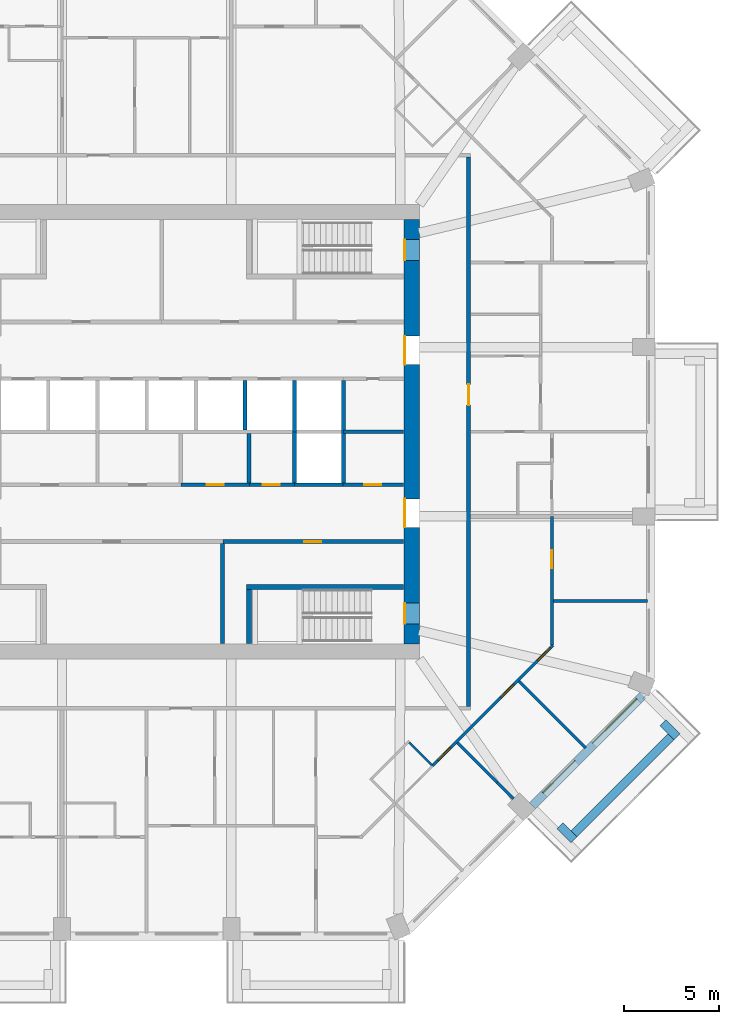
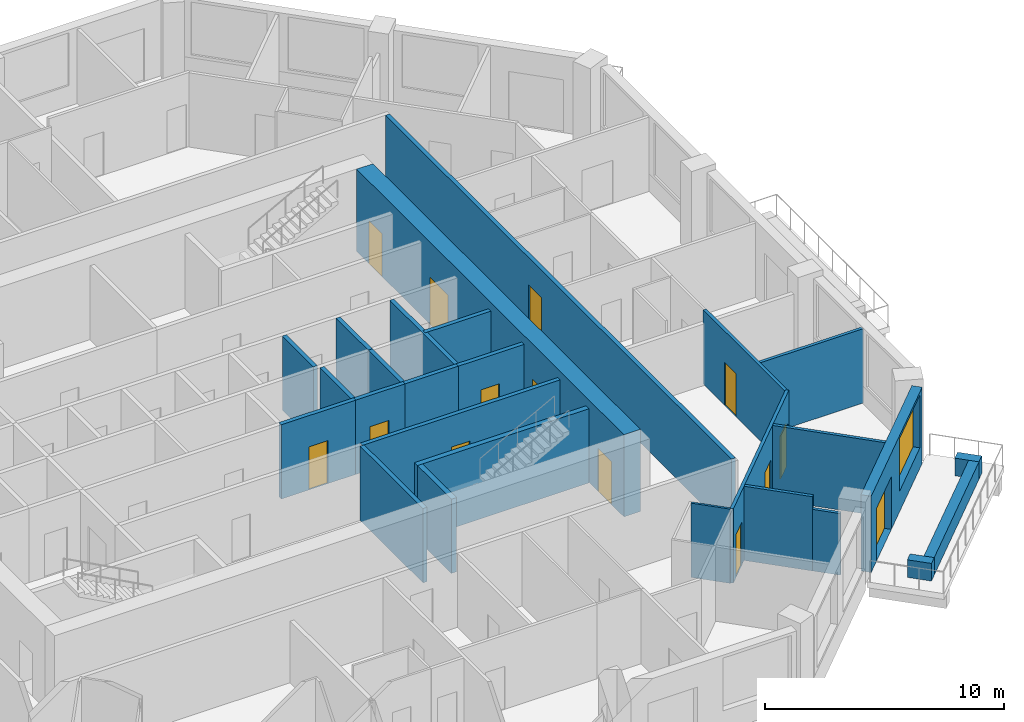
# One storey, part 6 of 13: 27 walls, 14 doors, 1 window, 15 openings.
"""IFC4 building model written with IfcOpenShell, lengths in metres."""

from ifc_helpers import new_model, si_unit, direction, frame, frame_2d, origin, place, context, subcontext, project, spatial, rectangle, extrude, material, layer, layer_set, type_object, element, fill, save


model = new_model("IFC4")

# Units and contexts
model_context = context("Model", 3, precision=1e-05, world=origin(), true_north=direction((0.0, 1.0)))
body_context = subcontext(model_context, "Body", "Model", "MODEL_VIEW")
ifc_project = project(units=[si_unit("LENGTHUNIT", "METRE"), si_unit("AREAUNIT", "SQUARE_METRE"), si_unit("VOLUMEUNIT", "CUBIC_METRE"), si_unit("PLANEANGLEUNIT", "RADIAN"), si_unit("MASSUNIT", "GRAM", prefix="KILO")], contexts=[model_context])

# Site, building, storey
site_placement = place(None, origin())
site = spatial("IfcSite", under=ifc_project, at=site_placement, CompositionType="ELEMENT")
building_placement = place(site_placement, origin())
building = spatial("IfcBuilding", under=site, at=building_placement, Name="Msitu Wima Residences", CompositionType="ELEMENT")
storey_placement = place(building_placement, frame((0.0, 0.0, 152.699951171875)))
storey = spatial("IfcBuildingStorey", under=building, at=storey_placement, Name="L35", CompositionType="ELEMENT", Elevation=152.699951171875)

# Walls
ifc_material_1 = material(Name="Facing brick")
ifc_layer_1 = layer(ifc_material_1, 0.06494140625, Name="Facing brick")
ifc_material_2 = material(Name="Concrete C40/50", Category="concrete")
ifc_layer_2 = layer(ifc_material_2, 0.156005859375, Name="Concrete C40/50")
ifc_material_3 = material(Name="Waterproofing membrane")
ifc_layer_3 = layer(ifc_material_3, 0.00390625, Name="Waterproofing membrane")
ifc_material_4 = material(Name="Planting soil and planting")
ifc_layer_4 = layer(ifc_material_4, 0.22509765625, Name="Planting soil and planting")
ifc_layer_set_1 = layer_set([ifc_layer_1, ifc_layer_2, ifc_layer_3, ifc_layer_4], Name="Concrete C40/50")
wall_type_1 = type_object("IfcWallType", Name="Balcony planter PLANTER PL450", PredefinedType="USERDEFINED", material=ifc_layer_set_1)
wall_1_placement = place(storey_placement, frame((22.572265625, -21.228759765625, 0.0), z_axis=(0.0, 0.0, 1.0), x_axis=(0.707106781187, 0.707106781187, 0.0)))
element("IfcWall", 1, at=wall_1_placement, inside=storey, type_object=wall_type_1, Name="Balcony planter SE1 L35", ObjectType="PLANTER", PredefinedType="USERDEFINED", context=body_context, shape_type="SweptSolid", body=[
    extrude(rectangle(XDim=7.23828125, YDim=0.449951171875, at=frame_2d((3.619140625, 0.0))), origin(), (0.0, 0.0, 1.0), 0.900146484375),
])
for number, where, z_axis, x_axis, name in (
    (2, (21.829833984375, -20.804443359375, 0.0), (0.0, 0.0, 1.0), (0.707106781187, -0.707106781187, 0.0), "Balcony planter SE1 L35"),
    (3, (27.26611328125, -15.3681640625, 0.0), (0.0, 0.0, 1.0), (0.707223014731, -0.706990528533, 0.0), "Balcony planter SE1 L35"),
):
    element("IfcWall", number, at=place(storey_placement, frame(where, z_axis=z_axis, x_axis=x_axis)), inside=storey, type_object=wall_type_1, Name=name, ObjectType="PLANTER", PredefinedType="USERDEFINED", context=body_context, shape_type="SweptSolid", body=[
        extrude(rectangle(XDim=1.050048828125, YDim=0.449951171875, at=frame_2d((0.52490234375, 0.0))), origin(), (0.0, 0.0, 1.0), 0.900146484375),
    ])

# Wall, openings, door, window
ifc_material_5 = material(Name="Brick (red buff mix)", Category="masonry")
ifc_layer_5 = layer(ifc_material_5, 0.449951171875)
ifc_layer_set_2 = layer_set([ifc_layer_5], Name="Brick (red buff mix)")
wall_type_2 = type_object("IfcWallType", Name="Brick infill wall BW450", PredefinedType="SOLIDWALL", material=ifc_layer_set_2)
wall_2_placement = place(storey_placement, frame((20.380126953125, -19.743896484375, 0.0), z_axis=(0.0, 0.0, 1.0), x_axis=(0.707106781187, 0.707106781187, 0.0)))
wall_2 = element("IfcWall", 4, at=wall_2_placement, inside=storey, type_object=wall_type_2, Name="Brick infill wall L35 SE1", PredefinedType="SOLIDWALL", context=body_context, shape_type="SweptSolid", body=[
    extrude(rectangle(XDim=8.251220703125, YDim=0.449951171875, at=frame_2d((4.12548828125, 0.0))), origin(), (0.0, 0.0, 1.0), 3.900146484375),
])
opening_1_placement = place(wall_2_placement, frame((0.86279296875, 0.0, 0.0)))
opening_1 = element("IfcOpeningElement", 5, at=opening_1_placement, cuts=wall_2, Name="Opening D34-35.008", PredefinedType="OPENING", context=body_context, shape_type="SweptSolid", body=[
    extrude(rectangle(XDim=2.39990234375, YDim=2.699951171875, at=frame_2d((1.199951171875, 1.35009765625))), frame((0.0, 0.23486328125, 0.0), z_axis=(0.0, -1.0, 0.0), x_axis=(1.0, 0.0, 0.0)), (0.0, 0.0, 1.0), 0.469970703125),
])
opening_2_placement = place(wall_2_placement, frame((4.57568359375, 0.0, 1.050048828125)))
opening_2 = element("IfcOpeningElement", 6, at=opening_2_placement, cuts=wall_2, Name="Opening W34-35.022", PredefinedType="OPENING", context=body_context, shape_type="SweptSolid", body=[
    extrude(rectangle(XDim=3.300048828125, YDim=2.699951171875, at=frame_2d((1.64990234375, 1.35009765625))), frame((0.0, 0.23486328125, 0.0), z_axis=(0.0, -1.0, 0.0), x_axis=(1.0, 0.0, 0.0)), (0.0, 0.0, 1.0), 0.469970703125),
])
ifc_material_6 = material(Name="Anodised aluminium, bronze finish, clear low-emissivity double glazing", Category="aluminium")
door_type_1 = type_object("IfcDoorType", Name="Balcony door D2400x2700", OperationType="SLIDING_TO_LEFT", PredefinedType="DOOR", material=ifc_material_6)
door_1_placement = place(opening_1_placement, origin())
door_1 = element("IfcDoor", 7, at=door_1_placement, inside=storey, type_object=door_type_1, Name="Balcony door L35 SE1", OperationType="SINGLE_SWING_LEFT", OverallHeight=2.699951171875, OverallWidth=2.39990234375, PredefinedType="DOOR", context=body_context, shape_type="SweptSolid", body=[
    extrude(rectangle(XDim=2.39990234375, YDim=2.699951171875, at=frame_2d((1.199951171875, 1.35009765625))), frame((0.0, 0.1298828125, 0.0), z_axis=(0.0, -1.0, 0.0), x_axis=(1.0, 0.0, 0.0)), (0.0, 0.0, 1.0), 0.050048828125),
])
fill(opening_1, door_1)
window_type = type_object("IfcWindowType", Name="Window W3300x2700", PartitioningType="DOUBLE_PANEL_VERTICAL", PredefinedType="WINDOW", material=ifc_material_6)
window_placement = place(opening_2_placement, origin())
window = element("IfcWindow", 8, at=window_placement, inside=storey, type_object=window_type, Name="Window L35 SE1.2", OverallHeight=2.699951171875, OverallWidth=3.300048828125, PartitioningType="SINGLE_PANEL", PredefinedType="WINDOW", context=body_context, shape_type="SweptSolid", body=[
    extrude(rectangle(XDim=3.300048828125, YDim=2.699951171875, at=frame_2d((1.64990234375, 1.35009765625))), frame((0.0, 0.135009765625, 0.0), z_axis=(0.0, -1.0, 0.0), x_axis=(1.0, 0.0, 0.0)), (0.0, 0.0, 1.0), 0.06005859375),
])
fill(opening_2, window)

# Wall, openings, doors
ifc_material_7 = material(Name="Concrete C70/85", Category="concrete")
ifc_layer_6 = layer(ifc_material_7, 0.800048828125)
ifc_layer_set_3 = layer_set([ifc_layer_6], Name="Concrete C70/85")
wall_type_3 = type_object("IfcWallType", Name="Core wall CW800 C70/85", PredefinedType="SHEAR", material=ifc_layer_set_3)
wall_3_placement = place(storey_placement, frame((14.0, -11.199951171875, 0.0), z_axis=(0.0, 0.0, 1.0), x_axis=(0.0, 1.0, 0.0)))
wall_3 = element("IfcWall", 9, at=wall_3_placement, inside=storey, type_object=wall_type_3, Name="Core wall", PredefinedType="SHEAR", context=body_context, shape_type="SweptSolid", body=[
    extrude(rectangle(XDim=22.39990234375, YDim=0.800048828125, at=frame_2d((11.199951171875, 0.0))), origin(), (0.0, 0.0, 1.0), 4.199951171875),
])
opening_3_placement = place(wall_3_placement, frame((20.25, 0.0, 0.0)))
opening_3 = element("IfcOpeningElement", 10, at=opening_3_placement, cuts=wall_3, Name="Opening D34-35.037", PredefinedType="OPENING", context=body_context, shape_type="SweptSolid", body=[
    extrude(rectangle(XDim=1.10009765625, YDim=2.199951171875, at=frame_2d((0.550048828125, 1.10009765625))), frame((0.0, 0.409912109375, 0.0), z_axis=(0.0, -1.0, 0.0), x_axis=(1.0, 0.0, 0.0)), (0.0, 0.0, 1.0), 0.820068359375),
])
opening_4_placement = place(wall_3_placement, frame((1.050048828125, 0.0, 0.0)))
opening_4 = element("IfcOpeningElement", 11, at=opening_4_placement, cuts=wall_3, Name="Opening D34-35.038", PredefinedType="OPENING", context=body_context, shape_type="SweptSolid", body=[
    extrude(rectangle(XDim=1.10009765625, YDim=2.199951171875, at=frame_2d((0.550048828125, 1.10009765625))), frame((0.0, 0.409912109375, 0.0), z_axis=(0.0, -1.0, 0.0), x_axis=(1.0, 0.0, 0.0)), (0.0, 0.0, 1.0), 0.820068359375),
])
opening_5_placement = place(wall_3_placement, frame((14.75, 0.0, 0.0)))
opening_5 = element("IfcOpeningElement", 12, at=opening_5_placement, cuts=wall_3, Name="Opening D34-35.025", PredefinedType="OPENING", context=body_context, shape_type="SweptSolid", body=[
    extrude(rectangle(XDim=1.5, YDim=2.39990234375, at=frame_2d((0.75, 1.199951171875))), frame((0.0, 0.409912109375, 0.0), z_axis=(0.0, -1.0, 0.0), x_axis=(1.0, 0.0, 0.0)), (0.0, 0.0, 1.0), 0.820068359375),
])
opening_6_placement = place(wall_3_placement, frame((6.14990234375, 0.0, 0.0)))
opening_6 = element("IfcOpeningElement", 13, at=opening_6_placement, cuts=wall_3, Name="Opening D34-35.026", PredefinedType="OPENING", context=body_context, shape_type="SweptSolid", body=[
    extrude(rectangle(XDim=1.5, YDim=2.39990234375, at=frame_2d((0.75, 1.199951171875))), frame((0.0, 0.409912109375, 0.0), z_axis=(0.0, -1.0, 0.0), x_axis=(1.0, 0.0, 0.0)), (0.0, 0.0, 1.0), 0.820068359375),
])
ifc_material_8 = material(Name="Steel framed glazed door, fire resisting", Category="steel")
door_type_2 = type_object("IfcDoorType", Name="Lobby door D07 1500x2400", OperationType="DOUBLE_DOOR_SINGLE_SWING", PredefinedType="DOOR", material=ifc_material_8)
door_2_placement = place(opening_5_placement, origin())
door_2 = element("IfcDoor", 14, at=door_2_placement, inside=storey, type_object=door_type_2, Name="Lobby door", OperationType="DOUBLE_DOOR_SINGLE_SWING", OverallHeight=2.39990234375, OverallWidth=1.5, PredefinedType="DOOR", context=body_context, shape_type="SweptSolid", body=[
    extrude(rectangle(XDim=1.5, YDim=2.39990234375, at=frame_2d((0.75, 1.199951171875))), frame((0.0, 0.39501953125, 0.0), z_axis=(0.0, -1.0, 0.0), x_axis=(1.0, 0.0, 0.0)), (0.0, 0.0, 1.0), 0.050048828125),
])
fill(opening_5, door_2)
door_3_placement = place(opening_6_placement, origin())
door_3 = element("IfcDoor", 15, at=door_3_placement, inside=storey, type_object=door_type_2, Name="Lobby door", OperationType="DOUBLE_DOOR_SINGLE_SWING", OverallHeight=2.39990234375, OverallWidth=1.5, PredefinedType="DOOR", context=body_context, shape_type="SweptSolid", body=[
    extrude(rectangle(XDim=1.5, YDim=2.39990234375, at=frame_2d((0.75, 1.199951171875))), frame((0.0, 0.39501953125, 0.0), z_axis=(0.0, -1.0, 0.0), x_axis=(1.0, 0.0, 0.0)), (0.0, 0.0, 1.0), 0.050048828125),
])
fill(opening_6, door_3)
ifc_material_9 = material(Name="Steel door, fire resisting, panic bar", Category="steel")
door_type_3 = type_object("IfcDoorType", Name="Stair door D06 1100x2200", OperationType="SINGLE_SWING_LEFT", PredefinedType="DOOR", material=ifc_material_9)
door_4_placement = place(opening_3_placement, origin())
door_4 = element("IfcDoor", 16, at=door_4_placement, inside=storey, type_object=door_type_3, Name="Stair door", OperationType="SINGLE_SWING_LEFT", OverallHeight=2.199951171875, OverallWidth=1.10009765625, PredefinedType="DOOR", context=body_context, shape_type="SweptSolid", body=[
    extrude(rectangle(XDim=1.10009765625, YDim=2.199951171875, at=frame_2d((0.550048828125, 1.10009765625))), frame((0.0, 0.39501953125, 0.0), z_axis=(0.0, -1.0, 0.0), x_axis=(1.0, 0.0, 0.0)), (0.0, 0.0, 1.0), 0.050048828125),
])
fill(opening_3, door_4)
door_5_placement = place(opening_4_placement, origin())
door_5 = element("IfcDoor", 17, at=door_5_placement, inside=storey, type_object=door_type_3, Name="Stair door", OperationType="SINGLE_SWING_RIGHT", OverallHeight=2.199951171875, OverallWidth=1.10009765625, PredefinedType="DOOR", context=body_context, shape_type="SweptSolid", body=[
    extrude(rectangle(XDim=1.10009765625, YDim=2.199951171875, at=frame_2d((0.550048828125, 1.10009765625))), frame((0.0, 0.39501953125, 0.0), z_axis=(0.0, -1.0, 0.0), x_axis=(1.0, 0.0, 0.0)), (0.0, 0.0, 1.0), 0.050048828125),
])
fill(opening_4, door_5)

# Wall, opening, door
ifc_material_10 = material(Name="Plaster")
ifc_layer_7 = layer(ifc_material_10, 0.011962890625, Name="Plaster")
ifc_material_11 = material(Name="Concrete blockwork", Category="masonry")
ifc_layer_8 = layer(ifc_material_11, 0.176025390625, Name="Concrete blockwork")
ifc_layer_9 = layer(ifc_material_10, 0.011962890625, Name="Plaster")
ifc_layer_set_4 = layer_set([ifc_layer_7, ifc_layer_8, ifc_layer_9], Name="Concrete blockwork")
wall_type_4 = type_object("IfcWallType", Name="Corridor wall FW200", PredefinedType="PARTITIONING", material=ifc_layer_set_4)
wall_4_placement = place(storey_placement, frame((4.02001953125, -5.800048828125, 0.0), z_axis=(0.0, 0.0, 1.0), x_axis=(1.0, 0.0, 0.0)))
wall_4 = element("IfcWall", 18, at=wall_4_placement, inside=storey, type_object=wall_type_4, Name="Corridor wall", PredefinedType="PARTITIONING", context=body_context, shape_type="SweptSolid", body=[
    extrude(rectangle(XDim=9.550048828125, YDim=0.199951171875, at=frame_2d((4.77490234375, 0.0))), origin(), (0.0, 0.0, 1.0), 3.798095703125),
])
opening_7_placement = place(wall_4_placement, frame((4.300048828125, 0.0, 0.0)))
opening_7 = element("IfcOpeningElement", 19, at=opening_7_placement, cuts=wall_4, Name="Opening D34-35.024", PredefinedType="OPENING", context=body_context, shape_type="SweptSolid", body=[
    extrude(rectangle(XDim=0.89990234375, YDim=2.199951171875, at=frame_2d((0.449951171875, 1.10009765625))), frame((0.0, 0.10986328125, 0.0), z_axis=(0.0, -1.0, 0.0), x_axis=(1.0, 0.0, 0.0)), (0.0, 0.0, 1.0), 0.219970703125),
])
ifc_material_12 = material(Name="Timber flush door", Category="wood")
door_type_4 = type_object("IfcDoorType", Name="Service door D05 900x2200", OperationType="SINGLE_SWING_LEFT", PredefinedType="DOOR", material=ifc_material_12)
door_6_placement = place(opening_7_placement, origin())
door_6 = element("IfcDoor", 20, at=door_6_placement, inside=storey, type_object=door_type_4, Name="Service door", OperationType="SINGLE_SWING_RIGHT", OverallHeight=2.199951171875, OverallWidth=0.89990234375, PredefinedType="DOOR", context=body_context, shape_type="SweptSolid", body=[
    extrude(rectangle(XDim=0.89990234375, YDim=2.199951171875, at=frame_2d((0.449951171875, 1.10009765625))), frame((0.0, 0.02490234375, 0.0), z_axis=(0.0, -1.0, 0.0), x_axis=(1.0, 0.0, 0.0)), (0.0, 0.0, 1.0), 0.050048828125),
])
fill(opening_7, door_6)

wall_5_placement = place(storey_placement, frame((5.419921875, -2.800048828125, 0.0), z_axis=(0.0, 0.0, 1.0), x_axis=(1.0, 0.0, 0.0)))
wall_5 = element("IfcWall", 21, at=wall_5_placement, inside=storey, type_object=wall_type_4, Name="Corridor wall", PredefinedType="PARTITIONING", context=body_context, shape_type="SweptSolid", body=[
    extrude(rectangle(XDim=2.380126953125, YDim=0.199951171875, at=frame_2d((1.18994140625, 0.0))), origin(), (0.0, 0.0, 1.0), 3.798095703125),
])
opening_8_placement = place(wall_5_placement, frame((0.699951171875, 0.0, 0.0)))
opening_8 = element("IfcOpeningElement", 22, at=opening_8_placement, cuts=wall_5, Name="Opening D34-35.032", PredefinedType="OPENING", context=body_context, shape_type="SweptSolid", body=[
    extrude(rectangle(XDim=0.89990234375, YDim=2.199951171875, at=frame_2d((0.449951171875, 1.10009765625))), frame((0.0, 0.10986328125, 0.0), z_axis=(0.0, -1.0, 0.0), x_axis=(1.0, 0.0, 0.0)), (0.0, 0.0, 1.0), 0.219970703125),
])
door_7_placement = place(opening_8_placement, origin())
door_7 = element("IfcDoor", 23, at=door_7_placement, inside=storey, type_object=door_type_4, Name="Service door", OperationType="SINGLE_SWING_LEFT", OverallHeight=2.199951171875, OverallWidth=0.89990234375, PredefinedType="DOOR", context=body_context, shape_type="SweptSolid", body=[
    extrude(rectangle(XDim=0.89990234375, YDim=2.199951171875, at=frame_2d((0.449951171875, 1.10009765625))), frame((0.0, 0.02490234375, 0.0), z_axis=(0.0, -1.0, 0.0), x_axis=(1.0, 0.0, 0.0)), (0.0, 0.0, 1.0), 0.050048828125),
])
fill(opening_8, door_7)

wall_6_placement = place(storey_placement, frame((17.0, -14.5, 0.0), z_axis=(0.0, 0.0, 1.0), x_axis=(0.0, 1.0, 0.0)))
wall_6 = element("IfcWall", 24, at=wall_6_placement, inside=storey, type_object=wall_type_4, Name="Corridor wall", PredefinedType="PARTITIONING", context=body_context, shape_type="SweptSolid", body=[
    extrude(rectangle(XDim=29.0, YDim=0.199951171875, at=frame_2d((14.5, 0.0))), origin(), (0.0, 0.0, 1.0), 3.798095703125),
])
opening_9_placement = place(wall_6_placement, frame((15.89990234375, 0.0, 0.0)))
opening_9 = element("IfcOpeningElement", 25, at=opening_9_placement, cuts=wall_6, Name="Opening D34-35.011", PredefinedType="OPENING", context=body_context, shape_type="SweptSolid", body=[
    extrude(rectangle(XDim=1.10009765625, YDim=2.39990234375, at=frame_2d((0.550048828125, 1.199951171875))), frame((0.0, 0.10986328125, 0.0), z_axis=(0.0, -1.0, 0.0), x_axis=(1.0, 0.0, 0.0)), (0.0, 0.0, 1.0), 0.219970703125),
])
ifc_material_13 = material(Name="Timber flush door, fire resisting, self-closing", Category="wood")
door_type_5 = type_object("IfcDoorType", Name="Flat entrance door D01 1100x2400", OperationType="SINGLE_SWING_LEFT", PredefinedType="DOOR", material=ifc_material_13)
door_8_placement = place(opening_9_placement, origin())
door_8 = element("IfcDoor", 26, at=door_8_placement, inside=storey, type_object=door_type_5, Name="Flat entrance door", OperationType="SINGLE_SWING_RIGHT", OverallHeight=2.39990234375, OverallWidth=1.10009765625, PredefinedType="DOOR", context=body_context, shape_type="SweptSolid", body=[
    extrude(rectangle(XDim=1.10009765625, YDim=2.39990234375, at=frame_2d((0.550048828125, 1.199951171875))), frame((0.0, 0.02490234375, 0.0), z_axis=(0.0, -1.0, 0.0), x_axis=(1.0, 0.0, 0.0)), (0.0, 0.0, 1.0), 0.050048828125),
])
fill(opening_9, door_8)

# Wall, openings, doors
ifc_layer_10 = layer(ifc_material_10, 0.011962890625, Name="Plaster")
ifc_layer_11 = layer(ifc_material_11, 0.1259765625, Name="Concrete blockwork")
ifc_layer_12 = layer(ifc_material_10, 0.011962890625, Name="Plaster")
ifc_layer_set_5 = layer_set([ifc_layer_10, ifc_layer_11, ifc_layer_12], Name="Concrete blockwork")
wall_type_5 = type_object("IfcWallType", Name="Partition PW150", PredefinedType="PARTITIONING", material=ifc_layer_set_5)
wall_7_placement = place(storey_placement, frame((15.098876953125, -17.635986328125, 0.0), z_axis=(0.0, 0.0, 1.0), x_axis=(0.707106781187, 0.707106781187, 0.0)))
wall_7 = element("IfcWall", 27, at=wall_7_placement, inside=storey, type_object=wall_type_5, Name="Partition", PredefinedType="PARTITIONING", context=body_context, shape_type="SweptSolid", body=[
    extrude(rectangle(XDim=8.986328125, YDim=0.14990234375, at=frame_2d((4.4931640625, 0.0))), origin(), (0.0, 0.0, 1.0), 3.798095703125),
])
opening_10_placement = place(wall_7_placement, frame((0.39990234375, 0.0, 0.0)))
opening_10 = element("IfcOpeningElement", 28, at=opening_10_placement, cuts=wall_7, Name="Opening D34-35.080", PredefinedType="OPENING", context=body_context, shape_type="SweptSolid", body=[
    extrude(rectangle(XDim=0.949951171875, YDim=2.199951171875, at=frame_2d((0.47509765625, 1.10009765625))), frame((0.0, 0.0849609375, 0.0), z_axis=(0.0, -1.0, 0.0), x_axis=(1.0, 0.0, 0.0)), (0.0, 0.0, 1.0), 0.169921875),
])
opening_11_placement = place(wall_7_placement, frame((5.10009765625, 0.0, 0.0)))
opening_11 = element("IfcOpeningElement", 29, at=opening_11_placement, cuts=wall_7, Name="Opening D34-35.082", PredefinedType="OPENING", context=body_context, shape_type="SweptSolid", body=[
    extrude(rectangle(XDim=0.949951171875, YDim=2.199951171875, at=frame_2d((0.47509765625, 1.10009765625))), frame((0.0, 0.0849609375, 0.0), z_axis=(0.0, -1.0, 0.0), x_axis=(1.0, 0.0, 0.0)), (0.0, 0.0, 1.0), 0.169921875),
])
opening_12_placement = place(wall_7_placement, frame((7.85009765625, 0.0, 0.0)))
opening_12 = element("IfcOpeningElement", 30, at=opening_12_placement, cuts=wall_7, Name="Opening D34-35.085", PredefinedType="OPENING", context=body_context, shape_type="SweptSolid", body=[
    extrude(rectangle(XDim=0.949951171875, YDim=2.199951171875, at=frame_2d((0.47509765625, 1.10009765625))), frame((0.0, 0.0849609375, 0.0), z_axis=(0.0, -1.0, 0.0), x_axis=(1.0, 0.0, 0.0)), (0.0, 0.0, 1.0), 0.169921875),
])
door_type_6 = type_object("IfcDoorType", Name="Room door D12 950x2200", OperationType="SINGLE_SWING_LEFT", PredefinedType="DOOR", material=ifc_material_12)
door_9_placement = place(opening_10_placement, origin())
door_9 = element("IfcDoor", 31, at=door_9_placement, inside=storey, type_object=door_type_6, Name="Room door", OperationType="SINGLE_SWING_LEFT", OverallHeight=2.199951171875, OverallWidth=0.949951171875, PredefinedType="DOOR", context=body_context, shape_type="SweptSolid", body=[
    extrude(rectangle(XDim=0.949951171875, YDim=2.199951171875, at=frame_2d((0.47509765625, 1.10009765625))), frame((0.0, 0.02490234375, 0.0), z_axis=(0.0, -1.0, 0.0), x_axis=(1.0, 0.0, 0.0)), (0.0, 0.0, 1.0), 0.050048828125),
])
fill(opening_10, door_9)
door_10_placement = place(opening_11_placement, origin())
door_10 = element("IfcDoor", 32, at=door_10_placement, inside=storey, type_object=door_type_6, Name="Room door", OperationType="SINGLE_SWING_LEFT", OverallHeight=2.199951171875, OverallWidth=0.949951171875, PredefinedType="DOOR", context=body_context, shape_type="SweptSolid", body=[
    extrude(rectangle(XDim=0.949951171875, YDim=2.199951171875, at=frame_2d((0.47509765625, 1.10009765625))), frame((0.0, 0.02490234375, 0.0), z_axis=(0.0, -1.0, 0.0), x_axis=(1.0, 0.0, 0.0)), (0.0, 0.0, 1.0), 0.050048828125),
])
fill(opening_11, door_10)
door_11_placement = place(opening_12_placement, origin())
door_11 = element("IfcDoor", 33, at=door_11_placement, inside=storey, type_object=door_type_6, Name="Room door", OperationType="SINGLE_SWING_RIGHT", OverallHeight=2.199951171875, OverallWidth=0.949951171875, PredefinedType="DOOR", context=body_context, shape_type="SweptSolid", body=[
    extrude(rectangle(XDim=0.949951171875, YDim=2.199951171875, at=frame_2d((0.47509765625, 1.10009765625))), frame((0.0, 0.02490234375, 0.0), z_axis=(0.0, -1.0, 0.0), x_axis=(1.0, 0.0, 0.0)), (0.0, 0.0, 1.0), 0.050048828125),
])
fill(opening_12, door_11)

# Walls
wall_8_placement = place(storey_placement, frame((16.42041015625, -16.42041015625, 0.0), z_axis=(0.0, 0.0, 1.0), x_axis=(0.707106781187, -0.707106781187, 0.0)))
element("IfcWall", 34, at=wall_8_placement, inside=storey, type_object=wall_type_5, Name="Partition", PredefinedType="PARTITIONING", context=body_context, shape_type="SweptSolid", body=[
    extrude(rectangle(XDim=2.9658203125, YDim=0.14990234375, at=frame_2d((1.48291015625, 0.0))), origin(), (0.0, 0.0, 1.0), 3.798095703125),
])
wall_9_placement = place(storey_placement, frame((18.517578125, -18.517578125, 0.0), z_axis=(0.0, 0.0, 1.0), x_axis=(0.707106781187, -0.707106781187, 0.0)))
element("IfcWall", 35, at=wall_9_placement, inside=storey, type_object=wall_type_5, Name="Partition", PredefinedType="PARTITIONING", context=body_context, shape_type="SweptSolid", body=[
    extrude(rectangle(XDim=1.209228515625, YDim=0.14990234375, at=frame_2d((0.6044921875, 0.0))), origin(), (0.0, 0.0, 1.0), 3.150146484375),
])
wall_10_placement = place(storey_placement, frame((19.6689453125, -13.171875, 0.0), z_axis=(0.0, 0.0, 1.0), x_axis=(0.707106781187, -0.707106781187, 0.0)))
element("IfcWall", 36, at=wall_10_placement, inside=storey, type_object=wall_type_5, Name="Partition", PredefinedType="PARTITIONING", context=body_context, shape_type="SweptSolid", body=[
    extrude(rectangle(XDim=4.980224609375, YDim=0.14990234375, at=frame_2d((2.490234375, 0.0))), origin(), (0.0, 0.0, 1.0), 3.798095703125),
])

# Wall, opening, door
wall_11_placement = place(storey_placement, frame((21.39990234375, -11.259765625, 0.0), z_axis=(0.0, 0.0, 1.0), x_axis=(0.0, 1.0, 0.0)))
wall_11 = element("IfcWall", 37, at=wall_11_placement, inside=storey, type_object=wall_type_5, Name="Partition", PredefinedType="PARTITIONING", context=body_context, shape_type="SweptSolid", body=[
    extrude(rectangle(XDim=6.791015625, YDim=0.14990234375, at=frame_2d((3.3955078125, 0.0))), origin(), (0.0, 0.0, 1.0), 3.798095703125),
])
opening_13_placement = place(wall_11_placement, frame((4.050048828125, 0.0, 0.0)))
opening_13 = element("IfcOpeningElement", 38, at=opening_13_placement, cuts=wall_11, Name="Opening D34-35.079", PredefinedType="OPENING", context=body_context, shape_type="SweptSolid", body=[
    extrude(rectangle(XDim=0.949951171875, YDim=2.199951171875, at=frame_2d((0.47509765625, 1.10009765625))), frame((0.0, 0.0849609375, 0.0), z_axis=(0.0, -1.0, 0.0), x_axis=(1.0, 0.0, 0.0)), (0.0, 0.0, 1.0), 0.169921875),
])
door_12_placement = place(opening_13_placement, origin())
door_12 = element("IfcDoor", 39, at=door_12_placement, inside=storey, type_object=door_type_6, Name="Room door", OperationType="SINGLE_SWING_RIGHT", OverallHeight=2.199951171875, OverallWidth=0.949951171875, PredefinedType="DOOR", context=body_context, shape_type="SweptSolid", body=[
    extrude(rectangle(XDim=0.949951171875, YDim=2.199951171875, at=frame_2d((0.47509765625, 1.10009765625))), frame((0.0, 0.02490234375, 0.0), z_axis=(0.0, -1.0, 0.0), x_axis=(1.0, 0.0, 0.0)), (0.0, 0.0, 1.0), 0.050048828125),
])
fill(opening_13, door_12)

# Wall
wall_12_placement = place(storey_placement, frame((21.47509765625, -8.937255859375, 0.0), z_axis=(0.0, 0.0, 1.0), x_axis=(1.0, 0.0, 0.0)))
element("IfcWall", 40, at=wall_12_placement, inside=storey, type_object=wall_type_5, Name="Partition", PredefinedType="PARTITIONING", context=body_context, shape_type="SweptSolid", body=[
    extrude(rectangle(XDim=4.97998046875, YDim=0.14990234375, at=frame_2d((2.489990234375, 0.0))), origin(), (0.0, 0.0, 1.0), 3.798095703125),
])

# Wall, opening, door
ifc_layer_13 = layer(ifc_material_10, 0.011962890625, Name="Plaster")
ifc_material_14 = material(Name="Reinforced concrete blockwork", Category="masonry")
ifc_layer_14 = layer(ifc_material_14, 0.176025390625, Name="Reinforced concrete blockwork")
ifc_layer_15 = layer(ifc_material_10, 0.011962890625, Name="Plaster")
ifc_layer_set_6 = layer_set([ifc_layer_13, ifc_layer_14, ifc_layer_15], Name="Reinforced concrete blockwork")
wall_type_6 = type_object("IfcWallType", Name="Plant and riser wall PL200", PredefinedType="PARTITIONING", material=ifc_layer_set_6)
wall_13_placement = place(storey_placement, frame((1.820068359375, -2.800048828125, 0.0), z_axis=(0.0, 0.0, 1.0), x_axis=(1.0, 0.0, 0.0)))
wall_13 = element("IfcWall", 41, at=wall_13_placement, inside=storey, type_object=wall_type_6, Name="Plant and riser wall", PredefinedType="PARTITIONING", context=body_context, shape_type="SweptSolid", body=[
    extrude(rectangle(XDim=3.599853515625, YDim=0.199951171875, at=frame_2d((1.7998046875, 0.0))), origin(), (0.0, 0.0, 1.0), 3.798095703125),
])
opening_14_placement = place(wall_13_placement, frame((1.35009765625, 0.0, 0.0)))
opening_14 = element("IfcOpeningElement", 42, at=opening_14_placement, cuts=wall_13, Name="Opening D34-35.031", PredefinedType="OPENING", context=body_context, shape_type="SweptSolid", body=[
    extrude(rectangle(XDim=0.89990234375, YDim=2.199951171875, at=frame_2d((0.449951171875, 1.10009765625))), frame((0.0, 0.10986328125, 0.0), z_axis=(0.0, -1.0, 0.0), x_axis=(1.0, 0.0, 0.0)), (0.0, 0.0, 1.0), 0.219970703125),
])
door_13_placement = place(opening_14_placement, origin())
door_13 = element("IfcDoor", 43, at=door_13_placement, inside=storey, type_object=door_type_4, Name="Service door", OperationType="SINGLE_SWING_RIGHT", OverallHeight=2.199951171875, OverallWidth=0.89990234375, PredefinedType="DOOR", context=body_context, shape_type="SweptSolid", body=[
    extrude(rectangle(XDim=0.89990234375, YDim=2.199951171875, at=frame_2d((0.449951171875, 1.10009765625))), frame((0.0, 0.02490234375, 0.0), z_axis=(0.0, -1.0, 0.0), x_axis=(1.0, 0.0, 0.0)), (0.0, 0.0, 1.0), 0.050048828125),
])
fill(opening_14, door_13)

# Walls
wall_14_placement = place(storey_placement, frame((4.0, -11.169921875, 0.0), z_axis=(0.0, 0.0, 1.0), x_axis=(0.0, 1.0, 0.0)))
element("IfcWall", 44, at=wall_14_placement, inside=storey, type_object=wall_type_6, Name="Plant and riser wall", PredefinedType="PARTITIONING", context=body_context, shape_type="SweptSolid", body=[
    extrude(rectangle(XDim=5.27001953125, YDim=0.199951171875, at=frame_2d((2.635009765625, 0.0))), origin(), (0.0, 0.0, 1.0), 3.798095703125),
])
wall_15_placement = place(storey_placement, frame((5.39990234375, -2.699951171875, 0.0), z_axis=(0.0, 0.0, 1.0), x_axis=(0.0, 1.0, 0.0)))
element("IfcWall", 45, at=wall_15_placement, inside=storey, type_object=wall_type_6, Name="Plant and riser wall", PredefinedType="PARTITIONING", context=body_context, shape_type="SweptSolid", body=[
    extrude(rectangle(XDim=2.599853515625, YDim=0.199951171875, at=frame_2d((1.2998046875, 0.0))), origin(), (0.0, 0.0, 1.0), 3.798095703125),
])

# Wall, opening, door
wall_16_placement = place(storey_placement, frame((10.3798828125, -2.800048828125, 0.0), z_axis=(0.0, 0.0, 1.0), x_axis=(1.0, 0.0, 0.0)))
wall_16 = element("IfcWall", 46, at=wall_16_placement, inside=storey, type_object=wall_type_6, Name="Plant and riser wall", PredefinedType="PARTITIONING", context=body_context, shape_type="SweptSolid", body=[
    extrude(rectangle(XDim=3.190185546875, YDim=0.199951171875, at=frame_2d((1.59521484375, 0.0))), origin(), (0.0, 0.0, 1.0), 3.798095703125),
])
opening_15_placement = place(wall_16_placement, frame((1.10009765625, 0.0, 0.0)))
opening_15 = element("IfcOpeningElement", 47, at=opening_15_placement, cuts=wall_16, Name="Opening D34-35.015", PredefinedType="OPENING", context=body_context, shape_type="SweptSolid", body=[
    extrude(rectangle(XDim=0.89990234375, YDim=2.199951171875, at=frame_2d((0.449951171875, 1.10009765625))), frame((0.0, 0.10986328125, 0.0), z_axis=(0.0, -1.0, 0.0), x_axis=(1.0, 0.0, 0.0)), (0.0, 0.0, 1.0), 0.219970703125),
])
door_14_placement = place(opening_15_placement, origin())
door_14 = element("IfcDoor", 48, at=door_14_placement, inside=storey, type_object=door_type_4, Name="Service door", OperationType="SINGLE_SWING_LEFT", OverallHeight=2.199951171875, OverallWidth=0.89990234375, PredefinedType="DOOR", context=body_context, shape_type="SweptSolid", body=[
    extrude(rectangle(XDim=0.89990234375, YDim=2.199951171875, at=frame_2d((0.449951171875, 1.10009765625))), frame((0.0, 0.02490234375, 0.0), z_axis=(0.0, -1.0, 0.0), x_axis=(1.0, 0.0, 0.0)), (0.0, 0.0, 1.0), 0.050048828125),
])
fill(opening_15, door_14)

# Walls
wall_17_placement = place(storey_placement, frame((10.39990234375, 0.0, 0.0), z_axis=(0.0, 0.0, 1.0), x_axis=(1.0, 0.0, 0.0)))
element("IfcWall", 49, at=wall_17_placement, inside=storey, type_object=wall_type_6, Name="Plant and riser wall", PredefinedType="PARTITIONING", context=body_context, shape_type="SweptSolid", body=[
    extrude(rectangle(XDim=3.170166015625, YDim=0.199951171875, at=frame_2d((1.5849609375, 0.0))), origin(), (0.0, 0.0, 1.0), 3.798095703125),
])
ifc_material_15 = material(Name="Fire-rated board")
ifc_layer_16 = layer(ifc_material_15, 0.02490234375, Name="Fire-rated board")
ifc_material_16 = material(Name="Light-gauge stud framing with mineral wool")
ifc_layer_17 = layer(ifc_material_16, 0.14990234375, Name="Light-gauge stud framing with mineral wool")
ifc_layer_18 = layer(ifc_material_15, 0.02490234375, Name="Fire-rated board")
ifc_layer_set_7 = layer_set([ifc_layer_16, ifc_layer_17, ifc_layer_18], Name="Light-gauge stud framing with mineral wool")
wall_type_7 = type_object("IfcWallType", Name="Shaft wall SH200", PredefinedType="PARTITIONING", material=ifc_layer_set_7)
wall_18_placement = place(storey_placement, frame((5.199951171875, 0.10009765625, 0.0), z_axis=(0.0, 0.0, 1.0), x_axis=(0.0, 1.0, 0.0)))
element("IfcWall", 50, at=wall_18_placement, inside=storey, type_object=wall_type_7, Name="Shaft wall", PredefinedType="PARTITIONING", context=body_context, shape_type="SweptSolid", body=[
    extrude(rectangle(XDim=2.599853515625, YDim=0.199951171875, at=frame_2d((1.2998046875, 0.0))), origin(), (0.0, 0.0, 1.0), 3.798095703125),
])
wall_19_placement = place(storey_placement, frame((7.800048828125, -2.699951171875, 0.0), z_axis=(0.0, 0.0, 1.0), x_axis=(0.0, 1.0, 0.0)))
element("IfcWall", 51, at=wall_19_placement, inside=storey, type_object=wall_type_7, Name="Shaft wall", PredefinedType="PARTITIONING", context=body_context, shape_type="SweptSolid", body=[
    extrude(rectangle(XDim=2.699951171875, YDim=0.199951171875, at=frame_2d((1.35009765625, 0.0))), origin(), (0.0, 0.0, 1.0), 3.798095703125),
])
wall_20_placement = place(storey_placement, frame((7.800048828125, -2.800048828125, 0.0), z_axis=(0.0, 0.0, 1.0), x_axis=(1.0, 0.0, 0.0)))
element("IfcWall", 52, at=wall_20_placement, inside=storey, type_object=wall_type_7, Name="Shaft wall", PredefinedType="PARTITIONING", context=body_context, shape_type="SweptSolid", body=[
    extrude(rectangle(XDim=2.579833984375, YDim=0.199951171875, at=frame_2d((1.2900390625, 0.0))), origin(), (0.0, 0.0, 1.0), 3.798095703125),
])
wall_21_placement = place(storey_placement, frame((7.800048828125, 0.0, 0.0), z_axis=(0.0, 0.0, 1.0), x_axis=(0.0, 1.0, 0.0)))
element("IfcWall", 53, at=wall_21_placement, inside=storey, type_object=wall_type_7, Name="Shaft wall", PredefinedType="PARTITIONING", context=body_context, shape_type="SweptSolid", body=[
    extrude(rectangle(XDim=2.699951171875, YDim=0.199951171875, at=frame_2d((1.35009765625, 0.0))), origin(), (0.0, 0.0, 1.0), 3.798095703125),
])
wall_22_placement = place(storey_placement, frame((10.39990234375, -2.699951171875, 0.0), z_axis=(0.0, 0.0, 1.0), x_axis=(0.0, 1.0, 0.0)))
element("IfcWall", 54, at=wall_22_placement, inside=storey, type_object=wall_type_7, Name="Shaft wall", PredefinedType="PARTITIONING", context=body_context, shape_type="SweptSolid", body=[
    extrude(rectangle(XDim=5.39990234375, YDim=0.199951171875, at=frame_2d((2.699951171875, 0.0))), origin(), (0.0, 0.0, 1.0), 3.798095703125),
])
ifc_material_17 = material(Name="Concrete C50/60", Category="concrete")
ifc_layer_19 = layer(ifc_material_17, 0.25)
ifc_layer_set_8 = layer_set([ifc_layer_19], Name="Concrete C50/60")
wall_type_8 = type_object("IfcWallType", Name="Stair enclosure wall SW250", PredefinedType="SHEAR", material=ifc_layer_set_8)
wall_23_placement = place(storey_placement, frame((5.39990234375, -11.169921875, 0.0), z_axis=(0.0, 0.0, 1.0), x_axis=(0.0, 1.0, 0.0)))
element("IfcWall", 55, at=wall_23_placement, inside=storey, type_object=wall_type_8, Name="Stair enclosure wall", PredefinedType="SHEAR", context=body_context, shape_type="SweptSolid", body=[
    extrude(rectangle(XDim=2.844970703125, YDim=0.25, at=frame_2d((1.42236328125, 0.0))), origin(), (0.0, 0.0, 1.0), 3.798095703125),
])
wall_24_placement = place(storey_placement, frame((5.27490234375, -8.199951171875, 0.0), z_axis=(0.0, 0.0, 1.0), x_axis=(1.0, 0.0, 0.0)))
element("IfcWall", 56, at=wall_24_placement, inside=storey, type_object=wall_type_8, Name="Stair enclosure wall", PredefinedType="SHEAR", context=body_context, shape_type="SweptSolid", body=[
    extrude(rectangle(XDim=8.295166015625, YDim=0.25, at=frame_2d((4.1474609375, 0.0))), origin(), (0.0, 0.0, 1.0), 3.798095703125),
])
ifc_material_18 = material(Name="Ceramic tiles")
ifc_layer_20 = layer(ifc_material_18, 0.008056640625, Name="Ceramic tiles")
ifc_material_19 = material(Name="Moisture-resistant board")
ifc_layer_21 = layer(ifc_material_19, 0.012451171875, Name="Moisture-resistant board")
ifc_layer_22 = layer(ifc_material_16, 0.06689453125, Name="Light-gauge stud framing with mineral wool")
ifc_layer_23 = layer(ifc_material_19, 0.012451171875, Name="Moisture-resistant board")
ifc_layer_set_9 = layer_set([ifc_layer_20, ifc_layer_21, ifc_layer_22, ifc_layer_23], Name="Light-gauge stud framing with mineral wool")
wall_type_9 = type_object("IfcWallType", Name="Wet wall PW100", PredefinedType="PARTITIONING", material=ifc_layer_set_9)
wall_25_placement = place(storey_placement, frame((13.861328125, -16.398681640625, 0.0), z_axis=(0.0, 0.0, 1.0), x_axis=(0.707178586901, -0.707034968179, 0.0)))
element("IfcWall", 57, at=wall_25_placement, inside=storey, type_object=wall_type_9, Name="Wet wall", PredefinedType="PARTITIONING", context=body_context, shape_type="SweptSolid", body=[
    extrude(rectangle(XDim=1.699951171875, YDim=0.10009765625, at=frame_2d((0.85009765625, 0.0))), origin(), (0.0, 0.0, 1.0), 3.798095703125),
])

save(model, "model.ifc")
